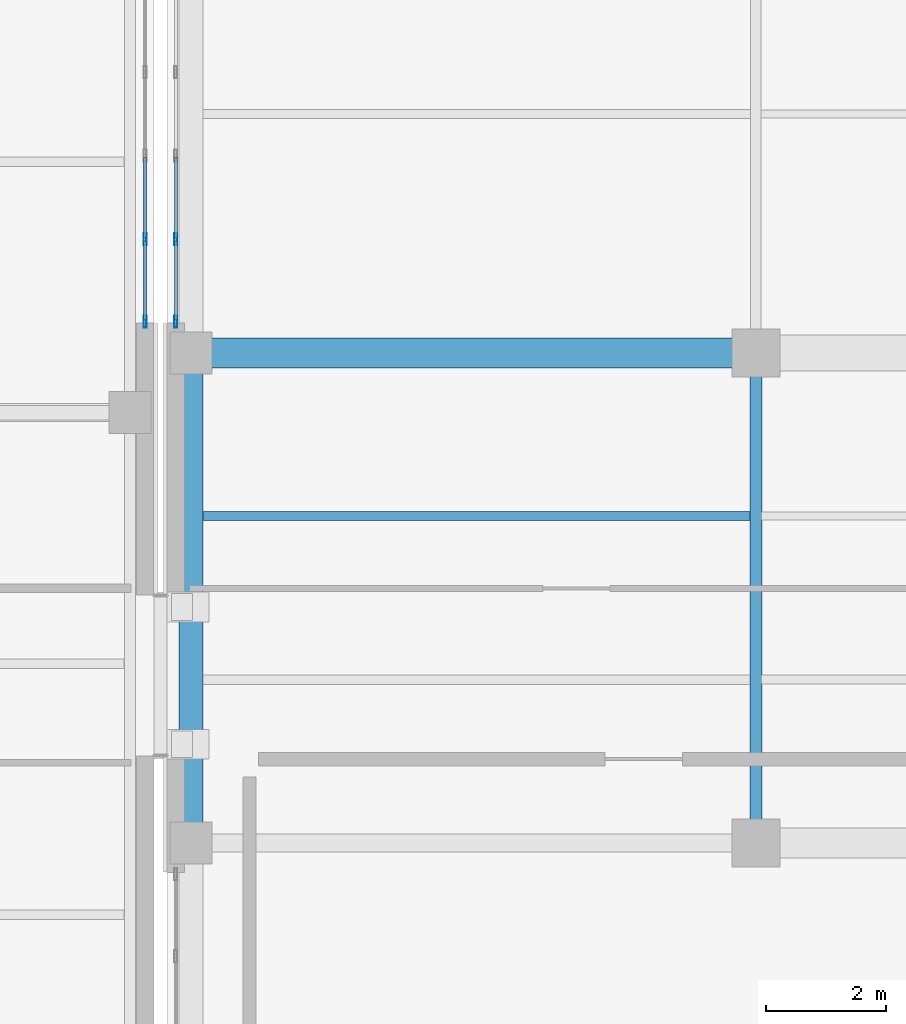
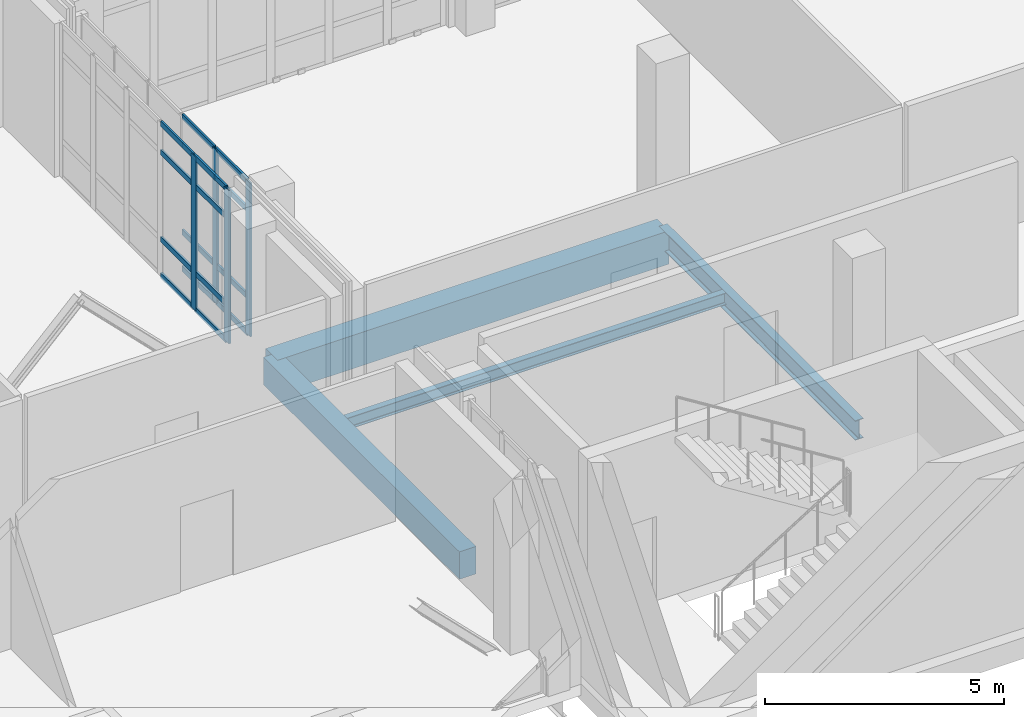
# One storey, part 13 of 165: 20 members, 4 beams, 2 elements without a shape of their own.
"""IFC4 building model written with IfcOpenShell, lengths in metres."""

from ifc_helpers import new_model, si_unit, direction, frame, origin, origin_2d, place, context, subcontext, project, spatial, rectangle, hollow_rectangle, i_section, extrude, material, layer, layer_set, material_profile, profile_set, type_object, element, aggregate, save


model = new_model("IFC4")

# Units and contexts
model_context = context("Model", 3, precision=1e-05, world=origin(), true_north=direction((0.0, 1.0)))
body_context = subcontext(model_context, "Body", "Model", "MODEL_VIEW")
ifc_project = project(units=[si_unit("LENGTHUNIT", "METRE"), si_unit("AREAUNIT", "SQUARE_METRE"), si_unit("VOLUMEUNIT", "CUBIC_METRE"), si_unit("PLANEANGLEUNIT", "RADIAN"), si_unit("MASSUNIT", "GRAM", prefix="KILO")], contexts=[model_context])

# Site, building, storey
site_placement = place(None, origin())
site = spatial("IfcSite", under=ifc_project, at=site_placement, CompositionType="ELEMENT")
building_placement = place(site_placement, origin())
building = spatial("IfcBuilding", under=site, at=building_placement, Name="Qalavern Law Courts", CompositionType="ELEMENT")
storey_placement = place(building_placement, frame((0.0, 0.0, 14.39990234375)))
storey = spatial("IfcBuildingStorey", under=building, at=storey_placement, Name="L03", CompositionType="ELEMENT", Elevation=14.39990234375)

# Curtain wall, members
ifc_material_1 = material(Name="Anodised aluminium and insulated glazing", Category="aluminium")
ifc_layer_1 = layer(ifc_material_1, 0.199951171875)
ifc_layer_set_1 = layer_set([ifc_layer_1], Name="Anodised aluminium and insulated glazing")
curtain_wall_type_1 = type_object("IfcCurtainWallType", Name="ENV-CW-FOYER", PredefinedType="USERDEFINED", material=ifc_layer_set_1)
curtain_wall_1_placement = place(storey_placement, origin())
curtain_wall_1 = element("IfcCurtainWall", 1, at=curtain_wall_1_placement, inside=storey, type_object=curtain_wall_type_1, Name="V1 unitised curtain wall L03 east 1", ObjectType="UNITISED CURTAIN WALL", PredefinedType="USERDEFINED")
ifc_material_2 = material(Name="Anodised aluminium", Category="aluminium")
ifc_material_profile_1 = material_profile(ifc_material_2, hollow_rectangle(XDim=0.048095703125, YDim=0.199951171875, WallThickness=0.00439453125, at=origin_2d()), Name="ALU MULLION 48x200")
ifc_profile_set_1 = profile_set([ifc_material_profile_1], Name="Anodised aluminium")
member_type_1 = type_object("IfcMemberType", Name="ENV-CWM-48x200", PredefinedType="MULLION", material=ifc_profile_set_1)
member_1_placement = place(storey_placement, frame((33.8525390625, 22.52392578125, 0.0), z_axis=(0.0, 0.0, 1.0), x_axis=(-1.0, 0.0, 0.0)))
member_1 = element("IfcMember", 2, at=member_1_placement, type_object=member_type_1, Name="CW-01 mullion 1", PredefinedType="MULLION", context=body_context, shape_type="SweptSolid", body=[
    extrude(hollow_rectangle(XDim=0.048095703125, YDim=0.199951171875, WallThickness=0.00439453125, at=origin_2d()), origin(), (0.0, 0.0, 1.0), 3.920166015625),
])
member_2_placement = place(storey_placement, frame((33.8525390625, 23.89990234375, 0.0), z_axis=(0.0, 0.0, 1.0), x_axis=(-1.0, 0.0, 0.0)))
member_2 = element("IfcMember", 3, at=member_2_placement, type_object=member_type_1, Name="CW-01 mullion 2", PredefinedType="MULLION", context=body_context, shape_type="SweptSolid", body=[
    extrude(hollow_rectangle(XDim=0.048095703125, YDim=0.199951171875, WallThickness=0.00439453125, at=origin_2d()), origin(), (0.0, 0.0, 1.0), 3.920166015625),
])

ifc_layer_2 = layer(ifc_material_1, 0.18505859375)
ifc_layer_set_2 = layer_set([ifc_layer_2], Name="Anodised aluminium and insulated glazing")
curtain_wall_type_2 = type_object("IfcCurtainWallType", Name="ENV-CW-HALL", PredefinedType="USERDEFINED", material=ifc_layer_set_2)
curtain_wall_2_placement = place(storey_placement, origin())
curtain_wall_2 = element("IfcCurtainWall", 4, at=curtain_wall_2_placement, inside=storey, type_object=curtain_wall_type_2, Name="V2 unitised curtain wall L03 west 1", ObjectType="UNITISED CURTAIN WALL", PredefinedType="USERDEFINED")
member_3_placement = place(storey_placement, frame((34.367431640625, 23.89990234375, 0.0), z_axis=(0.0, 0.0, 1.0), x_axis=(1.0, 0.0, 0.0)))
member_3 = element("IfcMember", 5, at=member_3_placement, type_object=member_type_1, Name="CW-02 mullion 5", PredefinedType="MULLION", context=body_context, shape_type="SweptSolid", body=[
    extrude(hollow_rectangle(XDim=0.048095703125, YDim=0.199951171875, WallThickness=0.00439453125, at=origin_2d()), origin(), (0.0, 0.0, 1.0), 3.920166015625),
])
member_4_placement = place(storey_placement, frame((34.367431640625, 22.52392578125, 0.0), z_axis=(0.0, 0.0, 1.0), x_axis=(1.0, 0.0, 0.0)))
member_4 = element("IfcMember", 6, at=member_4_placement, type_object=member_type_1, Name="CW-02 mullion 6", PredefinedType="MULLION", context=body_context, shape_type="SweptSolid", body=[
    extrude(hollow_rectangle(XDim=0.048095703125, YDim=0.199951171875, WallThickness=0.00439453125, at=origin_2d()), origin(), (0.0, 0.0, 1.0), 3.920166015625),
])

# Member
ifc_material_profile_2 = material_profile(ifc_material_2, hollow_rectangle(XDim=0.048095703125, YDim=0.139892578125, WallThickness=0.00390625, at=origin_2d()), Name="ALU TRANSOM 48x140")
ifc_profile_set_2 = profile_set([ifc_material_profile_2], Name="Anodised aluminium")
member_type_2 = type_object("IfcMemberType", Name="ENV-CWT-48x140", PredefinedType="USERDEFINED", material=ifc_profile_set_2)
member_5_placement = place(storey_placement, frame((33.8525390625, 22.548095703125, 0.024169921875), z_axis=(0.0, 1.0, 0.0), x_axis=(-1.0, 0.0, 0.0)))
member_5 = element("IfcMember", 7, at=member_5_placement, type_object=member_type_2, Name="CW-01 transom 1.1", ObjectType="TRANSOM", PredefinedType="USERDEFINED", context=body_context, shape_type="SweptSolid", body=[
    extrude(hollow_rectangle(XDim=0.048095703125, YDim=0.139892578125, WallThickness=0.00390625, at=origin_2d()), origin(), (0.0, 0.0, 1.0), 1.327880859375),
])

member_6_placement = place(storey_placement, frame((33.8525390625, 22.548095703125, 0.9501953125), z_axis=(0.0, 1.0, 0.0), x_axis=(-1.0, 0.0, 0.0)))
member_6 = element("IfcMember", 8, at=member_6_placement, type_object=member_type_2, Name="CW-01 transom 1.2", ObjectType="TRANSOM", PredefinedType="USERDEFINED", context=body_context, shape_type="SweptSolid", body=[
    extrude(hollow_rectangle(XDim=0.048095703125, YDim=0.139892578125, WallThickness=0.00390625, at=origin_2d()), origin(), (0.0, 0.0, 1.0), 1.327880859375),
])

member_7_placement = place(storey_placement, frame((33.8525390625, 22.548095703125, 3.170166015625), z_axis=(0.0, 1.0, 0.0), x_axis=(-1.0, 0.0, 0.0)))
member_7 = element("IfcMember", 9, at=member_7_placement, type_object=member_type_2, Name="CW-01 transom 1.3", ObjectType="TRANSOM", PredefinedType="USERDEFINED", context=body_context, shape_type="SweptSolid", body=[
    extrude(hollow_rectangle(XDim=0.048095703125, YDim=0.139892578125, WallThickness=0.00390625, at=origin_2d()), origin(), (0.0, 0.0, 1.0), 1.327880859375),
])

member_8_placement = place(storey_placement, frame((33.8525390625, 22.548095703125, 3.89599609375), z_axis=(0.0, 1.0, 0.0), x_axis=(-1.0, 0.0, 0.0)))
member_8 = element("IfcMember", 10, at=member_8_placement, type_object=member_type_2, Name="CW-01 transom 1.4", ObjectType="TRANSOM", PredefinedType="USERDEFINED", context=body_context, shape_type="SweptSolid", body=[
    extrude(hollow_rectangle(XDim=0.048095703125, YDim=0.139892578125, WallThickness=0.00390625, at=origin_2d()), origin(), (0.0, 0.0, 1.0), 1.327880859375),
])

member_9_placement = place(storey_placement, frame((33.8525390625, 23.924072265625, 0.024169921875), z_axis=(0.0, 1.0, 0.0), x_axis=(-1.0, 0.0, 0.0)))
member_9 = element("IfcMember", 11, at=member_9_placement, type_object=member_type_2, Name="CW-01 transom 2.1", ObjectType="TRANSOM", PredefinedType="USERDEFINED", context=body_context, shape_type="SweptSolid", body=[
    extrude(hollow_rectangle(XDim=0.048095703125, YDim=0.139892578125, WallThickness=0.00390625, at=origin_2d()), origin(), (0.0, 0.0, 1.0), 1.351806640625),
])

member_10_placement = place(storey_placement, frame((33.8525390625, 23.924072265625, 0.9501953125), z_axis=(0.0, 1.0, 0.0), x_axis=(-1.0, 0.0, 0.0)))
member_10 = element("IfcMember", 12, at=member_10_placement, type_object=member_type_2, Name="CW-01 transom 2.2", ObjectType="TRANSOM", PredefinedType="USERDEFINED", context=body_context, shape_type="SweptSolid", body=[
    extrude(hollow_rectangle(XDim=0.048095703125, YDim=0.139892578125, WallThickness=0.00390625, at=origin_2d()), origin(), (0.0, 0.0, 1.0), 1.351806640625),
])

member_11_placement = place(storey_placement, frame((33.8525390625, 23.924072265625, 3.170166015625), z_axis=(0.0, 1.0, 0.0), x_axis=(-1.0, 0.0, 0.0)))
member_11 = element("IfcMember", 13, at=member_11_placement, type_object=member_type_2, Name="CW-01 transom 2.3", ObjectType="TRANSOM", PredefinedType="USERDEFINED", context=body_context, shape_type="SweptSolid", body=[
    extrude(hollow_rectangle(XDim=0.048095703125, YDim=0.139892578125, WallThickness=0.00390625, at=origin_2d()), origin(), (0.0, 0.0, 1.0), 1.351806640625),
])

member_12_placement = place(storey_placement, frame((33.8525390625, 23.924072265625, 3.89599609375), z_axis=(0.0, 1.0, 0.0), x_axis=(-1.0, 0.0, 0.0)))
member_12 = element("IfcMember", 14, at=member_12_placement, type_object=member_type_2, Name="CW-01 transom 2.4", ObjectType="TRANSOM", PredefinedType="USERDEFINED", context=body_context, shape_type="SweptSolid", body=[
    extrude(hollow_rectangle(XDim=0.048095703125, YDim=0.139892578125, WallThickness=0.00390625, at=origin_2d()), origin(), (0.0, 0.0, 1.0), 1.351806640625),
])

aggregate(curtain_wall_1, [member_1, member_2, member_5, member_6, member_7, member_8, member_9, member_10, member_11, member_12])

member_13_placement = place(storey_placement, frame((34.367431640625, 25.27587890625, 0.024169921875), z_axis=(0.0, -1.0, 0.0), x_axis=(1.0, 0.0, 0.0)))
member_13 = element("IfcMember", 15, at=member_13_placement, type_object=member_type_2, Name="CW-02 transom 4.1", ObjectType="TRANSOM", PredefinedType="USERDEFINED", context=body_context, shape_type="SweptSolid", body=[
    extrude(hollow_rectangle(XDim=0.048095703125, YDim=0.139892578125, WallThickness=0.00390625, at=origin_2d()), origin(), (0.0, 0.0, 1.0), 1.351806640625),
])

member_14_placement = place(storey_placement, frame((34.367431640625, 25.27587890625, 0.9501953125), z_axis=(0.0, -1.0, 0.0), x_axis=(1.0, 0.0, 0.0)))
member_14 = element("IfcMember", 16, at=member_14_placement, type_object=member_type_2, Name="CW-02 transom 4.2", ObjectType="TRANSOM", PredefinedType="USERDEFINED", context=body_context, shape_type="SweptSolid", body=[
    extrude(hollow_rectangle(XDim=0.048095703125, YDim=0.139892578125, WallThickness=0.00390625, at=origin_2d()), origin(), (0.0, 0.0, 1.0), 1.351806640625),
])

member_15_placement = place(storey_placement, frame((34.367431640625, 25.27587890625, 3.170166015625), z_axis=(0.0, -1.0, 0.0), x_axis=(1.0, 0.0, 0.0)))
member_15 = element("IfcMember", 17, at=member_15_placement, type_object=member_type_2, Name="CW-02 transom 4.3", ObjectType="TRANSOM", PredefinedType="USERDEFINED", context=body_context, shape_type="SweptSolid", body=[
    extrude(hollow_rectangle(XDim=0.048095703125, YDim=0.139892578125, WallThickness=0.00390625, at=origin_2d()), origin(), (0.0, 0.0, 1.0), 1.351806640625),
])

member_16_placement = place(storey_placement, frame((34.367431640625, 25.27587890625, 3.89599609375), z_axis=(0.0, -1.0, 0.0), x_axis=(1.0, 0.0, 0.0)))
member_16 = element("IfcMember", 18, at=member_16_placement, type_object=member_type_2, Name="CW-02 transom 4.4", ObjectType="TRANSOM", PredefinedType="USERDEFINED", context=body_context, shape_type="SweptSolid", body=[
    extrude(hollow_rectangle(XDim=0.048095703125, YDim=0.139892578125, WallThickness=0.00390625, at=origin_2d()), origin(), (0.0, 0.0, 1.0), 1.351806640625),
])

member_17_placement = place(storey_placement, frame((34.367431640625, 23.8759765625, 0.024169921875), z_axis=(0.0, -1.0, 0.0), x_axis=(1.0, 0.0, 0.0)))
member_17 = element("IfcMember", 19, at=member_17_placement, type_object=member_type_2, Name="CW-02 transom 5.1", ObjectType="TRANSOM", PredefinedType="USERDEFINED", context=body_context, shape_type="SweptSolid", body=[
    extrude(hollow_rectangle(XDim=0.048095703125, YDim=0.139892578125, WallThickness=0.00390625, at=origin_2d()), origin(), (0.0, 0.0, 1.0), 1.327880859375),
])

member_18_placement = place(storey_placement, frame((34.367431640625, 23.8759765625, 0.9501953125), z_axis=(0.0, -1.0, 0.0), x_axis=(1.0, 0.0, 0.0)))
member_18 = element("IfcMember", 20, at=member_18_placement, type_object=member_type_2, Name="CW-02 transom 5.2", ObjectType="TRANSOM", PredefinedType="USERDEFINED", context=body_context, shape_type="SweptSolid", body=[
    extrude(hollow_rectangle(XDim=0.048095703125, YDim=0.139892578125, WallThickness=0.00390625, at=origin_2d()), origin(), (0.0, 0.0, 1.0), 1.327880859375),
])

member_19_placement = place(storey_placement, frame((34.367431640625, 23.8759765625, 3.170166015625), z_axis=(0.0, -1.0, 0.0), x_axis=(1.0, 0.0, 0.0)))
member_19 = element("IfcMember", 21, at=member_19_placement, type_object=member_type_2, Name="CW-02 transom 5.3", ObjectType="TRANSOM", PredefinedType="USERDEFINED", context=body_context, shape_type="SweptSolid", body=[
    extrude(hollow_rectangle(XDim=0.048095703125, YDim=0.139892578125, WallThickness=0.00390625, at=origin_2d()), origin(), (0.0, 0.0, 1.0), 1.327880859375),
])

member_20_placement = place(storey_placement, frame((34.367431640625, 23.8759765625, 3.89599609375), z_axis=(0.0, -1.0, 0.0), x_axis=(1.0, 0.0, 0.0)))
member_20 = element("IfcMember", 22, at=member_20_placement, type_object=member_type_2, Name="CW-02 transom 5.4", ObjectType="TRANSOM", PredefinedType="USERDEFINED", context=body_context, shape_type="SweptSolid", body=[
    extrude(hollow_rectangle(XDim=0.048095703125, YDim=0.139892578125, WallThickness=0.00390625, at=origin_2d()), origin(), (0.0, 0.0, 1.0), 1.327880859375),
])

aggregate(curtain_wall_2, [member_3, member_4, member_13, member_14, member_15, member_16, member_17, member_18, member_19, member_20])

# Beams
ifc_material_3 = material(Name="Steel S355", Category="steel")
ifc_material_profile_3 = material_profile(ifc_material_3, i_section(OverallWidth=0.199951171875, OverallDepth=0.5, WebThickness=0.01025390625, FlangeThickness=0.01611328125, FilletRadius=0.02099609375, at=origin_2d()), Name="IPE 500")
ifc_profile_set_3 = profile_set([ifc_material_profile_3], Name="Steel S355")
beam_type_1 = type_object("IfcBeamType", Name="STR-BM-IPE500", PredefinedType="BEAM", material=ifc_profile_set_3)
beam_1_placement = place(storey_placement, frame((44.07421875, 13.800048828125, -0.534912109375), z_axis=(0.0, 1.0, 0.0), x_axis=(-1.0, 0.0, 0.0)))
element("IfcBeam", 23, at=beam_1_placement, inside=storey, type_object=beam_type_1, Name="V2 Y-beam 2-2 L03", PredefinedType="BEAM", context=body_context, shape_type="SweptSolid", body=[
    extrude(i_section(OverallWidth=0.199951171875, OverallDepth=0.5, WebThickness=0.01025390625, FlangeThickness=0.01611328125, FilletRadius=0.02099609375, at=origin_2d()), origin(), (0.0, 0.0, 1.0), 8.199951171875),
])
ifc_material_4 = material(Name="Concrete C40/50", Category="concrete")
ifc_material_profile_4 = material_profile(ifc_material_4, rectangle(XDim=0.5, YDim=0.85009765625, at=origin_2d()), Name="RC 500x850")
ifc_profile_set_4 = profile_set([ifc_material_profile_4], Name="Concrete C40/50")
beam_type_2 = type_object("IfcBeamType", Name="STR-BM-RC500x850", PredefinedType="BEAM", material=ifc_profile_set_4)
beam_2_placement = place(storey_placement, frame((34.6201171875, 22.0, -0.7099609375), z_axis=(1.0, 0.0, 0.0), x_axis=(0.0, 1.0, 0.0)))
element("IfcBeam", 24, at=beam_2_placement, inside=storey, type_object=beam_type_2, Name="V2 X-beam 3-1 L03", PredefinedType="BEAM", context=body_context, shape_type="SweptSolid", body=[
    extrude(rectangle(XDim=0.5, YDim=0.85009765625, at=origin_2d()), origin(), (0.0, 0.0, 1.0), 9.4541015625),
])
ifc_material_profile_5 = material_profile(ifc_material_3, i_section(OverallWidth=0.14990234375, OverallDepth=0.300048828125, WebThickness=0.007080078125, FlangeThickness=0.0107421875, FilletRadius=0.014892578125, at=origin_2d()), Name="IPE 300")
ifc_profile_set_5 = profile_set([ifc_material_profile_5], Name="Steel S355")
beam_type_3 = type_object("IfcBeamType", Name="STR-JST-IPE300", PredefinedType="JOIST", material=ifc_profile_set_5)
beam_3_placement = place(storey_placement, frame((34.818115234375, 19.2666015625, -0.434814453125), z_axis=(1.0, 0.0, 0.0), x_axis=(0.0, 1.0, 0.0)))
element("IfcBeam", 25, at=beam_3_placement, inside=storey, type_object=beam_type_3, Name="V2 secondary joist 1.2.2 L03", PredefinedType="JOIST", context=body_context, shape_type="SweptSolid", body=[
    extrude(i_section(OverallWidth=0.14990234375, OverallDepth=0.300048828125, WebThickness=0.007080078125, FlangeThickness=0.0107421875, FilletRadius=0.014892578125, at=origin_2d()), origin(), (0.0, 0.0, 1.0), 9.158203125),
])
ifc_material_profile_6 = material_profile(ifc_material_4, rectangle(XDim=0.39990234375, YDim=0.699951171875, at=origin_2d()), Name="RC 400x700")
ifc_profile_set_6 = profile_set([ifc_material_profile_6], Name="Concrete C40/50")
beam_type_4 = type_object("IfcBeamType", Name="STR-SP-RC400x700", PredefinedType="SPANDREL", material=ifc_profile_set_6)
beam_4_placement = place(storey_placement, frame((34.6201171875, 13.800048828125, -0.635009765625), z_axis=(0.0, 1.0, 0.0), x_axis=(-1.0, 0.0, 0.0)))
element("IfcBeam", 26, at=beam_4_placement, inside=storey, type_object=beam_type_4, Name="V2 Y-beam 1-2 L03", PredefinedType="SPANDREL", context=body_context, shape_type="SweptSolid", body=[
    extrude(rectangle(XDim=0.39990234375, YDim=0.699951171875, at=origin_2d()), origin(), (0.0, 0.0, 1.0), 8.199951171875),
])

save(model, "model.ifc")
